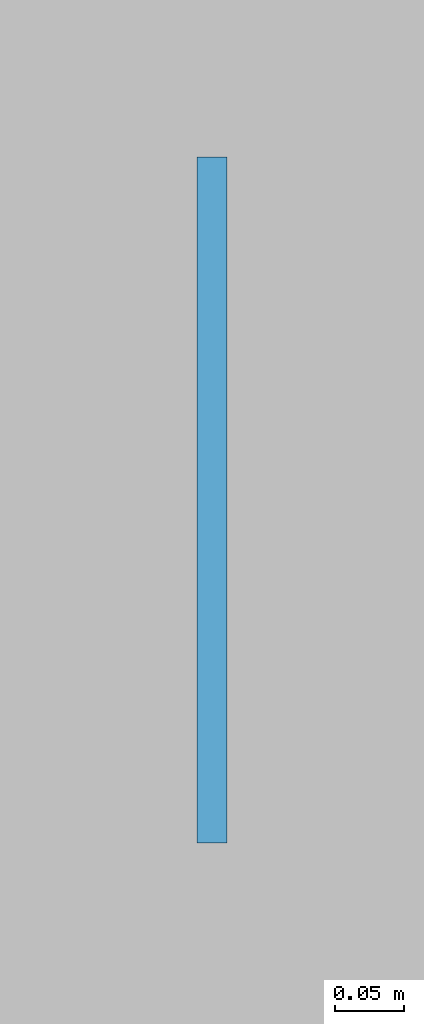
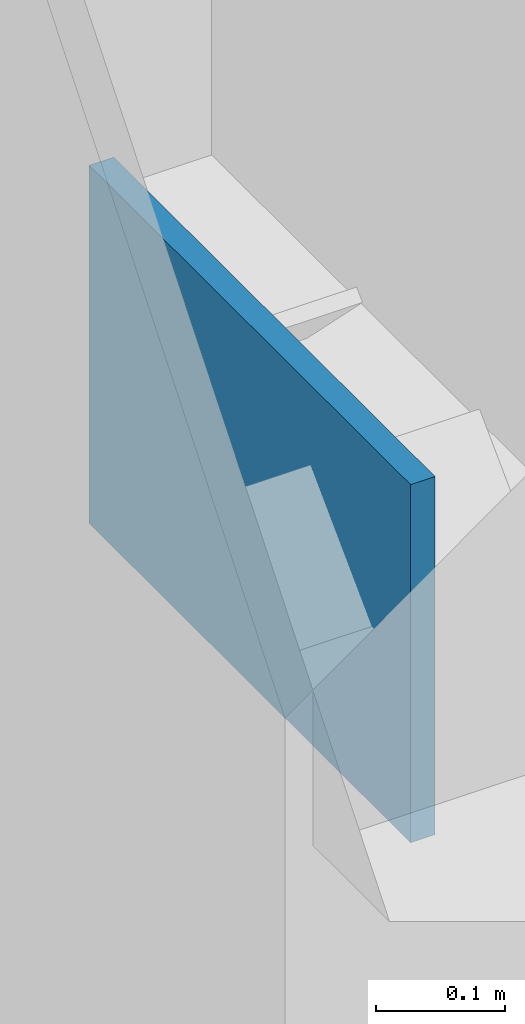
# One storey, part 82 of 122: 1 plate.
"""IFC4 building model written with IfcOpenShell, lengths in metres."""

from ifc_helpers import new_model, si_unit, direction, frame, origin, origin_2d, place, context, subcontext, project, spatial, rectangle, extrude, material, layer, layer_set, type_object, element, save


model = new_model("IFC4")

# Units and contexts
model_context = context("Model", 3, precision=1e-05, world=origin(), true_north=direction((0.0, 1.0)))
body_context = subcontext(model_context, "Body", "Model", "MODEL_VIEW")
ifc_project = project(units=[si_unit("LENGTHUNIT", "METRE"), si_unit("AREAUNIT", "SQUARE_METRE"), si_unit("VOLUMEUNIT", "CUBIC_METRE"), si_unit("PLANEANGLEUNIT", "RADIAN"), si_unit("MASSUNIT", "GRAM", prefix="KILO")], contexts=[model_context])

# Site, building, storey
site_placement = place(None, origin())
site = spatial("IfcSite", under=ifc_project, at=site_placement, CompositionType="ELEMENT")
building_placement = place(site_placement, origin())
building = spatial("IfcBuilding", under=site, at=building_placement, Name="Qasida Concert Hall", CompositionType="ELEMENT")
storey_placement = place(building_placement, origin())
storey = spatial("IfcBuildingStorey", under=building, at=storey_placement, Name="L00", CompositionType="ELEMENT", Elevation=0.0)

# Plate
ifc_material = material(Name="Steel S355J2", Category="steel")
ifc_layer = layer(ifc_material, 0.02197265625, Name="Steel S355J2")
ifc_layer_set = layer_set([ifc_layer], Name="Steel S355J2")
plate_type = type_object("IfcPlateType", Name="PLT-PL-EC5", PredefinedType="SHEET", material=ifc_layer_set)
plate_placement = place(storey_placement, frame((0.0, 101.25, 3.580078125), z_axis=(0.0, 0.0, 1.0), x_axis=(0.0, 1.0, 0.0)))
element("IfcPlate", 1, at=plate_placement, inside=storey, type_object=plate_type, Name="Chevron apex plate CBF-0099", PredefinedType="SHEET", context=body_context, shape_type="SweptSolid", body=[
    extrude(rectangle(XDim=0.5, YDim=0.02197265625, at=origin_2d()), origin(), (0.0, 0.0, 1.0), 0.340087890625),
])

save(model, "model.ifc")
